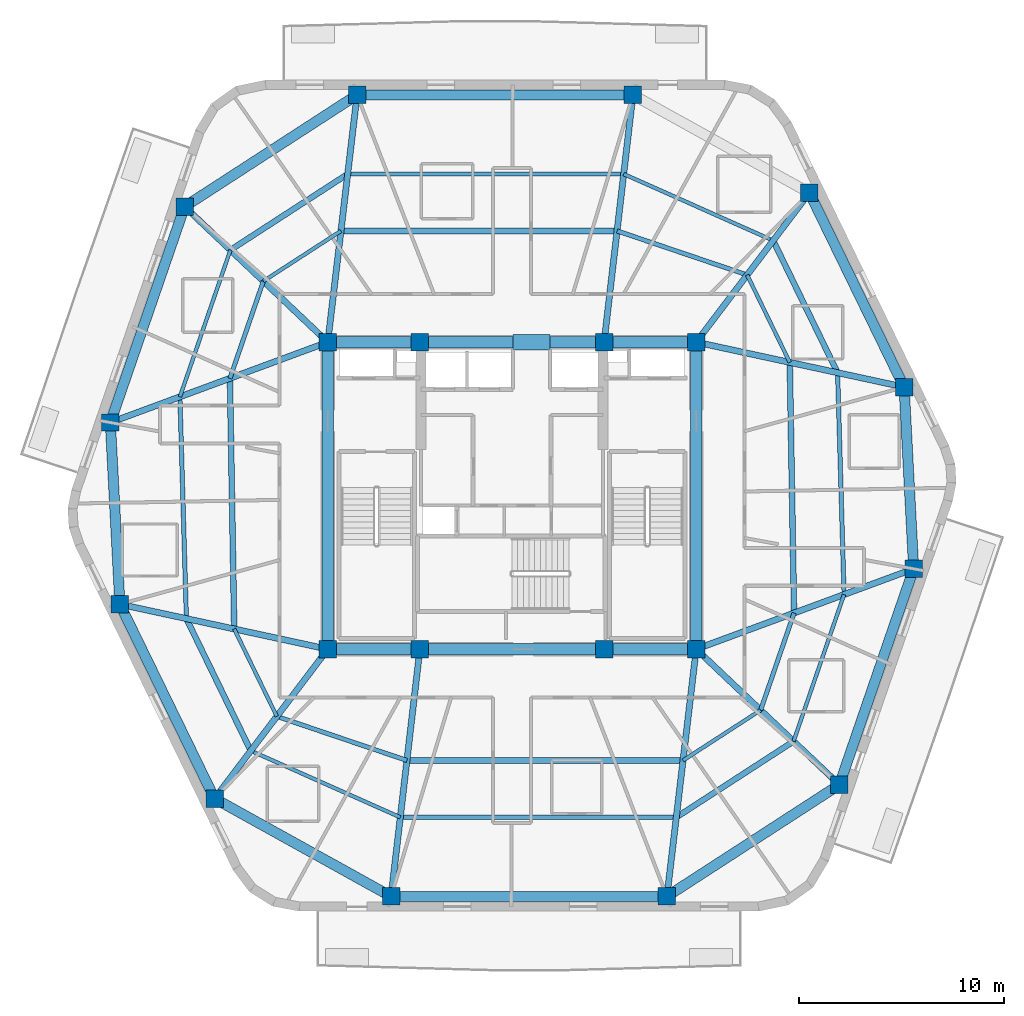
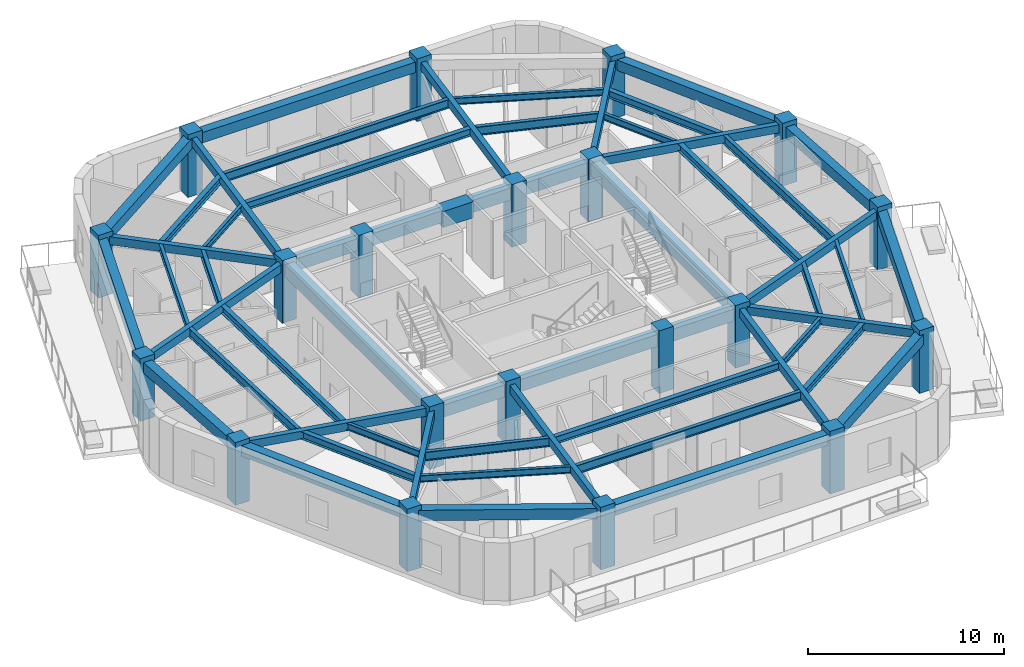
# One storey, part 1 of 9: 56 beams, 20 columns.
"""IFC4 building model written with IfcOpenShell, lengths in metres."""

from ifc_helpers import new_model, si_unit, direction, frame, origin, origin_2d, place, context, subcontext, project, spatial, rectangle, i_section, extrude, material, material_profile, profile_set, type_object, element, save


model = new_model("IFC4")

# Units and contexts
model_context = context("Model", 3, precision=1e-05, world=origin(), true_north=direction((0.0, 1.0)))
body_context = subcontext(model_context, "Body", "Model", "MODEL_VIEW")
ifc_project = project(units=[si_unit("LENGTHUNIT", "METRE"), si_unit("AREAUNIT", "SQUARE_METRE"), si_unit("VOLUMEUNIT", "CUBIC_METRE"), si_unit("PLANEANGLEUNIT", "RADIAN"), si_unit("MASSUNIT", "GRAM", prefix="KILO")], contexts=[model_context])

# Site, building, storey
site_placement = place(None, origin())
site = spatial("IfcSite", under=ifc_project, at=site_placement, CompositionType="ELEMENT")
building_placement = place(site_placement, origin())
building = spatial("IfcBuilding", under=site, at=building_placement, Name="Kilnhurst Terrace Hotel", CompositionType="ELEMENT")
storey_placement = place(building_placement, frame((0.0, 0.0, 265.199951171875)))
storey = spatial("IfcBuildingStorey", under=building, at=storey_placement, Name="L66", CompositionType="ELEMENT", Elevation=265.199951171875)

# Columns
ifc_material_1 = material(Name="Concrete C60/75", Category="concrete")
ifc_material_profile_1 = material_profile(ifc_material_1, rectangle(XDim=0.85009765625, YDim=0.85009765625, at=origin_2d()), Name="RC850X850")
ifc_profile_set_1 = profile_set([ifc_material_profile_1], Name="Concrete C60/75")
column_type = type_object("IfcColumnType", Name="COL-RC-850", PredefinedType="COLUMN", material=ifc_profile_set_1)
for number, where, z_axis, x_axis, name in (
    (1, (-9.0, -7.5, 0.0), (0.0, 0.0, 1.0), (1.0, 0.0, 0.0), "L66 Structural Column CC-SW"),
    (2, (-4.5, -7.5, 0.0), (0.0, 0.0, 1.0), (1.0, 0.0, 0.0), "L66 Structural Column CC-SC1"),
    (3, (4.5, -7.5, 0.0), (0.0, 0.0, 1.0), (1.0, 0.0, 0.0), "L66 Structural Column CC-SC2"),
    (4, (9.0, -7.5, 0.0), (0.0, 0.0, 1.0), (1.0, 0.0, 0.0), "L66 Structural Column CC-SE"),
    (5, (9.0, 7.5, 0.0), (0.0, 0.0, 1.0), (1.0, 0.0, 0.0), "L66 Structural Column CC-NE"),
    (6, (4.5, 7.5, 0.0), (0.0, 0.0, 1.0), (1.0, 0.0, 0.0), "L66 Structural Column CC-NC2"),
    (7, (-4.5, 7.5, 0.0), (0.0, 0.0, 1.0), (1.0, 0.0, 0.0), "L66 Structural Column CC-NC1"),
    (8, (-9.0, 7.5, 0.0), (0.0, 0.0, 1.0), (1.0, 0.0, 0.0), "L66 Structural Column CC-NW"),
    (9, (-5.907958984375, -19.580078125, 0.0), (0.0, 0.0, 1.0), (1.0, 0.0, 0.0), "L66 Structural Column PC-F11"),
    (10, (7.569091796875, -19.580078125, 0.0), (0.0, 0.0, 1.0), (1.0, 0.0, 0.0), "L66 Structural Column PC-F12"),
    (11, (15.9951171875, -14.12109375, 0.0), (0.0, 0.0, 1.0), (1.0, 0.0, 0.0), "L66 Structural Column PC-F21"),
    (12, (19.6240234375, -3.573974609375, 0.0), (0.0, 0.0, 1.0), (1.0, 0.0, 0.0), "L66 Structural Column PC-F22"),
    (13, (19.157958984375, 5.304931640625, 0.0), (0.0, 0.0, 1.0), (1.0, 0.0, 0.0), "L66 Structural Column PC-F31"),
    (14, (14.531005859375, 14.798095703125, 0.0), (0.0, 0.0, 1.0), (1.0, 0.0, 0.0), "L66 Structural Column PC-F32"),
    (15, (5.907958984375, 19.580078125, 0.0), (0.0, 0.0, 1.0), (1.0, 0.0, 0.0), "L66 Structural Column PC-F41"),
    (16, (-7.569091796875, 19.580078125, 0.0), (0.0, 0.0, 1.0), (1.0, 0.0, 0.0), "L66 Structural Column PC-F42"),
    (17, (-15.9951171875, 14.12109375, 0.0), (0.0, 0.0, 1.0), (1.0, 0.0, 0.0), "L66 Structural Column PC-F51"),
    (18, (-19.6240234375, 3.573974609375, 0.0), (0.0, 0.0, 1.0), (1.0, 0.0, 0.0), "L66 Structural Column PC-F52"),
    (19, (-19.157958984375, -5.304931640625, 0.0), (0.0, 0.0, 1.0), (1.0, 0.0, 0.0), "L66 Structural Column PC-F61"),
    (20, (-14.531005859375, -14.798095703125, 0.0), (0.0, 0.0, 1.0), (1.0, 0.0, 0.0), "L66 Structural Column PC-F62"),
):
    element("IfcColumn", number, at=place(storey_placement, frame(where, z_axis=z_axis, x_axis=x_axis)), inside=storey, type_object=column_type, Name=name, PredefinedType="COLUMN", context=body_context, shape_type="SweptSolid", body=[
        extrude(rectangle(XDim=0.85009765625, YDim=0.85009765625, at=origin_2d()), origin(), (0.0, 0.0, 1.0), 3.900146484375),
    ])

# Beams
ifc_material_2 = material(Name="Concrete C50/60", Category="concrete")
ifc_material_profile_2 = material_profile(ifc_material_2, rectangle(XDim=0.300048828125, YDim=0.5, at=origin_2d()), Name="RC300X500")
ifc_profile_set_2 = profile_set([ifc_material_profile_2], Name="Concrete C50/60")
beam_type_1 = type_object("IfcBeamType", Name="BM-RAD-300X500", PredefinedType="BEAM", material=ifc_profile_set_2)
beam_1_placement = place(storey_placement, frame((-4.5, -7.5, 3.35009765625), z_axis=(-0.115768472001, -0.993276225876, 0.0), x_axis=(0.993276225876, -0.115768472001, 0.0)))
element("IfcBeam", 21, at=beam_1_placement, inside=storey, type_object=beam_type_1, Name="L66 Radial Floor Beam 1", PredefinedType="BEAM", context=body_context, shape_type="SweptSolid", body=[
    extrude(rectangle(XDim=0.300048828125, YDim=0.5, at=origin_2d()), origin(), (0.0, 0.0, 1.0), 12.161865234375),
])
beam_2_placement = place(storey_placement, frame((9.0, -7.5, 3.35009765625), z_axis=(-0.117629552811, -0.993057545314, 0.0), x_axis=(0.993057545314, -0.117629552811, 0.0)))
element("IfcBeam", 22, at=beam_2_placement, inside=storey, type_object=beam_type_1, Name="L66 Radial Floor Beam 2", PredefinedType="BEAM", context=body_context, shape_type="SweptSolid", body=[
    extrude(rectangle(XDim=0.300048828125, YDim=0.5, at=origin_2d()), origin(), (0.0, 0.0, 1.0), 12.16455078125),
])
beam_3_placement = place(storey_placement, frame((9.0, -7.5, 3.35009765625), z_axis=(0.726256338973, -0.687423981326, 0.0), x_axis=(0.687423981326, 0.726256338973, 0.0)))
element("IfcBeam", 23, at=beam_3_placement, inside=storey, type_object=beam_type_1, Name="L66 Radial Floor Beam 3", PredefinedType="BEAM", context=body_context, shape_type="SweptSolid", body=[
    extrude(rectangle(XDim=0.300048828125, YDim=0.5, at=origin_2d()), origin(), (0.0, 0.0, 1.0), 9.6318359375),
])
beam_4_placement = place(storey_placement, frame((9.0, -7.5, 3.35009765625), z_axis=(0.938001507479, 0.3466311757, 0.0), x_axis=(-0.3466311757, 0.938001507479, 0.0)))
element("IfcBeam", 24, at=beam_4_placement, inside=storey, type_object=beam_type_1, Name="L66 Radial Floor Beam 4", PredefinedType="BEAM", context=body_context, shape_type="SweptSolid", body=[
    extrude(rectangle(XDim=0.300048828125, YDim=0.5, at=origin_2d()), origin(), (0.0, 0.0, 1.0), 11.326171875),
])
beam_5_placement = place(storey_placement, frame((9.0, 7.5, 3.35009765625), z_axis=(0.977438945995, -0.211218149913, 0.0), x_axis=(0.211218149913, 0.977438945995, 0.0)))
element("IfcBeam", 25, at=beam_5_placement, inside=storey, type_object=beam_type_1, Name="L66 Radial Floor Beam 5", PredefinedType="BEAM", context=body_context, shape_type="SweptSolid", body=[
    extrude(rectangle(XDim=0.300048828125, YDim=0.5, at=origin_2d()), origin(), (0.0, 0.0, 1.0), 10.392333984375),
])
beam_6_placement = place(storey_placement, frame((9.0, 7.5, 3.35009765625), z_axis=(0.604006537698, 0.79697936135, 0.0), x_axis=(-0.79697936135, 0.604006537698, 0.0)))
element("IfcBeam", 26, at=beam_6_placement, inside=storey, type_object=beam_type_1, Name="L66 Radial Floor Beam 6", PredefinedType="BEAM", context=body_context, shape_type="SweptSolid", body=[
    extrude(rectangle(XDim=0.300048828125, YDim=0.5, at=origin_2d()), origin(), (0.0, 0.0, 1.0), 9.1572265625),
])
beam_7_placement = place(storey_placement, frame((4.5, 7.5, 3.35009765625), z_axis=(0.115768472001, 0.993276225876, 0.0), x_axis=(-0.993276225876, 0.115768472001, 0.0)))
element("IfcBeam", 27, at=beam_7_placement, inside=storey, type_object=beam_type_1, Name="L66 Radial Floor Beam 7", PredefinedType="BEAM", context=body_context, shape_type="SweptSolid", body=[
    extrude(rectangle(XDim=0.300048828125, YDim=0.5, at=origin_2d()), origin(), (0.0, 0.0, 1.0), 12.161865234375),
])
beam_8_placement = place(storey_placement, frame((-9.0, 7.5, 3.35009765625), z_axis=(0.117629552811, 0.993057545314, 0.0), x_axis=(-0.993057545314, 0.117629552811, 0.0)))
element("IfcBeam", 28, at=beam_8_placement, inside=storey, type_object=beam_type_1, Name="L66 Radial Floor Beam 8", PredefinedType="BEAM", context=body_context, shape_type="SweptSolid", body=[
    extrude(rectangle(XDim=0.300048828125, YDim=0.5, at=origin_2d()), origin(), (0.0, 0.0, 1.0), 12.16455078125),
])
beam_9_placement = place(storey_placement, frame((-9.0, 7.5, 3.35009765625), z_axis=(-0.726256338973, 0.687423981326, 0.0), x_axis=(-0.687423981326, -0.726256338973, 0.0)))
element("IfcBeam", 29, at=beam_9_placement, inside=storey, type_object=beam_type_1, Name="L66 Radial Floor Beam 9", PredefinedType="BEAM", context=body_context, shape_type="SweptSolid", body=[
    extrude(rectangle(XDim=0.300048828125, YDim=0.5, at=origin_2d()), origin(), (0.0, 0.0, 1.0), 9.6318359375),
])
beam_10_placement = place(storey_placement, frame((-9.0, 7.5, 3.35009765625), z_axis=(-0.938001507479, -0.3466311757, 0.0), x_axis=(0.3466311757, -0.938001507479, 0.0)))
element("IfcBeam", 30, at=beam_10_placement, inside=storey, type_object=beam_type_1, Name="L66 Radial Floor Beam 10", PredefinedType="BEAM", context=body_context, shape_type="SweptSolid", body=[
    extrude(rectangle(XDim=0.300048828125, YDim=0.5, at=origin_2d()), origin(), (0.0, 0.0, 1.0), 11.326171875),
])
beam_11_placement = place(storey_placement, frame((-9.0, -7.5, 3.35009765625), z_axis=(-0.977438945995, 0.211218149913, 0.0), x_axis=(-0.211218149913, -0.977438945995, 0.0)))
element("IfcBeam", 31, at=beam_11_placement, inside=storey, type_object=beam_type_1, Name="L66 Radial Floor Beam 11", PredefinedType="BEAM", context=body_context, shape_type="SweptSolid", body=[
    extrude(rectangle(XDim=0.300048828125, YDim=0.5, at=origin_2d()), origin(), (0.0, 0.0, 1.0), 10.392333984375),
])
beam_12_placement = place(storey_placement, frame((-9.0, -7.5, 3.35009765625), z_axis=(-0.604006537698, -0.79697936135, 0.0), x_axis=(0.79697936135, -0.604006537698, 0.0)))
element("IfcBeam", 32, at=beam_12_placement, inside=storey, type_object=beam_type_1, Name="L66 Radial Floor Beam 12", PredefinedType="BEAM", context=body_context, shape_type="SweptSolid", body=[
    extrude(rectangle(XDim=0.300048828125, YDim=0.5, at=origin_2d()), origin(), (0.0, 0.0, 1.0), 9.1572265625),
])
ifc_material_profile_3 = material_profile(ifc_material_2, rectangle(XDim=0.5, YDim=0.64990234375, at=origin_2d()), Name="RC500X650")
ifc_profile_set_3 = profile_set([ifc_material_profile_3], Name="Concrete C50/60")
beam_type_2 = type_object("IfcBeamType", Name="BM-SPN-500X650", PredefinedType="SPANDREL", material=ifc_profile_set_3)
beam_13_placement = place(storey_placement, frame((-5.907958984375, -19.580078125, 3.275146484375), z_axis=(1.0, 0.0, 0.0), x_axis=(0.0, 1.0, 0.0)))
element("IfcBeam", 33, at=beam_13_placement, inside=storey, type_object=beam_type_2, Name="L66 Perimeter Spandrel Beam 1", PredefinedType="SPANDREL", context=body_context, shape_type="SweptSolid", body=[
    extrude(rectangle(XDim=0.5, YDim=0.64990234375, at=origin_2d()), origin(), (0.0, 0.0, 1.0), 13.47705078125),
])
beam_14_placement = place(storey_placement, frame((7.569091796875, -19.580078125, 3.275146484375), z_axis=(0.839258818809, 0.543732135386, 0.0), x_axis=(-0.543732135386, 0.839258818809, 0.0)))
element("IfcBeam", 34, at=beam_14_placement, inside=storey, type_object=beam_type_2, Name="L66 Perimeter Spandrel Beam 2", PredefinedType="SPANDREL", context=body_context, shape_type="SweptSolid", body=[
    extrude(rectangle(XDim=0.5, YDim=0.64990234375, at=origin_2d()), origin(), (0.0, 0.0, 1.0), 10.039794921875),
])
beam_15_placement = place(storey_placement, frame((15.9951171875, -14.12109375, 3.275146484375), z_axis=(0.325347079026, 0.945594669068, 0.0), x_axis=(-0.945594669068, 0.325347079026, 0.0)))
element("IfcBeam", 35, at=beam_15_placement, inside=storey, type_object=beam_type_2, Name="L66 Perimeter Spandrel Beam 3", PredefinedType="SPANDREL", context=body_context, shape_type="SweptSolid", body=[
    extrude(rectangle(XDim=0.5, YDim=0.64990234375, at=origin_2d()), origin(), (0.0, 0.0, 1.0), 11.154052734375),
])
beam_16_placement = place(storey_placement, frame((19.6240234375, -3.573974609375, 3.275146484375), z_axis=(-0.052419034962, 0.998625177318, 0.0), x_axis=(-0.998625177318, -0.052419034962, 0.0)))
element("IfcBeam", 36, at=beam_16_placement, inside=storey, type_object=beam_type_2, Name="L66 Perimeter Spandrel Beam 4", PredefinedType="SPANDREL", context=body_context, shape_type="SweptSolid", body=[
    extrude(rectangle(XDim=0.5, YDim=0.64990234375, at=origin_2d()), origin(), (0.0, 0.0, 1.0), 8.89111328125),
])
beam_17_placement = place(storey_placement, frame((19.157958984375, 5.304931640625, 3.275146484375), z_axis=(-0.438128464895, 0.898912369616, 0.0), x_axis=(-0.898912369616, -0.438128464895, 0.0)))
element("IfcBeam", 37, at=beam_17_placement, inside=storey, type_object=beam_type_2, Name="L66 Perimeter Spandrel Beam 5", PredefinedType="SPANDREL", context=body_context, shape_type="SweptSolid", body=[
    extrude(rectangle(XDim=0.5, YDim=0.64990234375, at=origin_2d()), origin(), (0.0, 0.0, 1.0), 10.560791015625),
])
beam_18_placement = place(storey_placement, frame((5.907958984375, 19.580078125, 3.275146484375), z_axis=(-1.0, 0.0, 0.0), x_axis=(0.0, -1.0, 0.0)))
element("IfcBeam", 38, at=beam_18_placement, inside=storey, type_object=beam_type_2, Name="L66 Perimeter Spandrel Beam 7", PredefinedType="SPANDREL", context=body_context, shape_type="SweptSolid", body=[
    extrude(rectangle(XDim=0.5, YDim=0.64990234375, at=origin_2d()), origin(), (0.0, 0.0, 1.0), 13.47705078125),
])
beam_19_placement = place(storey_placement, frame((-7.569091796875, 19.580078125, 3.275146484375), z_axis=(-0.839258818809, -0.543732135386, 0.0), x_axis=(0.543732135386, -0.839258818809, 0.0)))
element("IfcBeam", 39, at=beam_19_placement, inside=storey, type_object=beam_type_2, Name="L66 Perimeter Spandrel Beam 8", PredefinedType="SPANDREL", context=body_context, shape_type="SweptSolid", body=[
    extrude(rectangle(XDim=0.5, YDim=0.64990234375, at=origin_2d()), origin(), (0.0, 0.0, 1.0), 10.039794921875),
])
beam_20_placement = place(storey_placement, frame((-15.9951171875, 14.12109375, 3.275146484375), z_axis=(-0.325347079026, -0.945594669068, 0.0), x_axis=(0.945594669068, -0.325347079026, 0.0)))
element("IfcBeam", 40, at=beam_20_placement, inside=storey, type_object=beam_type_2, Name="L66 Perimeter Spandrel Beam 9", PredefinedType="SPANDREL", context=body_context, shape_type="SweptSolid", body=[
    extrude(rectangle(XDim=0.5, YDim=0.64990234375, at=origin_2d()), origin(), (0.0, 0.0, 1.0), 11.154052734375),
])
beam_21_placement = place(storey_placement, frame((-19.6240234375, 3.573974609375, 3.275146484375), z_axis=(0.052419034962, -0.998625177318, 0.0), x_axis=(0.998625177318, 0.052419034962, 0.0)))
element("IfcBeam", 41, at=beam_21_placement, inside=storey, type_object=beam_type_2, Name="L66 Perimeter Spandrel Beam 10", PredefinedType="SPANDREL", context=body_context, shape_type="SweptSolid", body=[
    extrude(rectangle(XDim=0.5, YDim=0.64990234375, at=origin_2d()), origin(), (0.0, 0.0, 1.0), 8.89111328125),
])
beam_22_placement = place(storey_placement, frame((-19.157958984375, -5.304931640625, 3.275146484375), z_axis=(0.438128464895, -0.898912369616, 0.0), x_axis=(0.898912369616, 0.438128464895, 0.0)))
element("IfcBeam", 42, at=beam_22_placement, inside=storey, type_object=beam_type_2, Name="L66 Perimeter Spandrel Beam 11", PredefinedType="SPANDREL", context=body_context, shape_type="SweptSolid", body=[
    extrude(rectangle(XDim=0.5, YDim=0.64990234375, at=origin_2d()), origin(), (0.0, 0.0, 1.0), 10.560791015625),
])
beam_23_placement = place(storey_placement, frame((-14.531005859375, -14.798095703125, 3.275146484375), z_axis=(0.874527255888, -0.484976369227, 0.0), x_axis=(0.484976369227, 0.874527255888, 0.0)))
element("IfcBeam", 43, at=beam_23_placement, inside=storey, type_object=beam_type_2, Name="L66 Perimeter Spandrel Beam 12", PredefinedType="SPANDREL", context=body_context, shape_type="SweptSolid", body=[
    extrude(rectangle(XDim=0.5, YDim=0.64990234375, at=origin_2d()), origin(), (0.0, 0.0, 1.0), 9.8603515625),
])
ifc_material_profile_4 = material_profile(ifc_material_2, rectangle(XDim=0.550048828125, YDim=0.75, at=origin_2d()), Name="RC550X750")
ifc_profile_set_4 = profile_set([ifc_material_profile_4], Name="Concrete C50/60")
beam_type_3 = type_object("IfcBeamType", Name="BM-SPN-550X750", PredefinedType="SPANDREL", material=ifc_profile_set_4)
beam_24_placement = place(storey_placement, frame((-9.0, 7.5, 3.22509765625), z_axis=(1.0, 0.0, 0.0), x_axis=(0.0, 1.0, 0.0)))
element("IfcBeam", 44, at=beam_24_placement, inside=storey, type_object=beam_type_3, Name="L66 Core Tie Beam CC-NW to CC-NC1", PredefinedType="SPANDREL", context=body_context, shape_type="SweptSolid", body=[
    extrude(rectangle(XDim=0.550048828125, YDim=0.75, at=origin_2d()), origin(), (0.0, 0.0, 1.0), 4.5),
])
beam_25_placement = place(storey_placement, frame((-4.5, 7.5, 3.22509765625), z_axis=(1.0, 0.0, 0.0), x_axis=(0.0, 1.0, 0.0)))
element("IfcBeam", 45, at=beam_25_placement, inside=storey, type_object=beam_type_3, Name="L66 Core Tie Beam CC-NC1 to CC-NC2", PredefinedType="SPANDREL", context=body_context, shape_type="SweptSolid", body=[
    extrude(rectangle(XDim=0.550048828125, YDim=0.75, at=origin_2d()), origin(), (0.0, 0.0, 1.0), 9.0),
])
for number, where, z_axis, x_axis, name in (
    (46, (4.5, 7.5, 3.22509765625), (1.0, 0.0, 0.0), (0.0, 1.0, 0.0), "L66 Core Tie Beam CC-NC2 to CC-NE"),
    (47, (-9.0, -7.5, 3.22509765625), (1.0, 0.0, 0.0), (0.0, 1.0, 0.0), "L66 Core Tie Beam CC-SW to CC-SC1"),
):
    element("IfcBeam", number, at=place(storey_placement, frame(where, z_axis=z_axis, x_axis=x_axis)), inside=storey, type_object=beam_type_3, Name=name, PredefinedType="SPANDREL", context=body_context, shape_type="SweptSolid", body=[
        extrude(rectangle(XDim=0.550048828125, YDim=0.75, at=origin_2d()), origin(), (0.0, 0.0, 1.0), 4.5),
    ])
beam_26_placement = place(storey_placement, frame((-4.5, -7.5, 3.22509765625), z_axis=(1.0, 0.0, 0.0), x_axis=(0.0, 1.0, 0.0)))
element("IfcBeam", 48, at=beam_26_placement, inside=storey, type_object=beam_type_3, Name="L66 Core Tie Beam CC-SC1 to CC-SC2", PredefinedType="SPANDREL", context=body_context, shape_type="SweptSolid", body=[
    extrude(rectangle(XDim=0.550048828125, YDim=0.75, at=origin_2d()), origin(), (0.0, 0.0, 1.0), 9.0),
])
beam_27_placement = place(storey_placement, frame((4.5, -7.5, 3.22509765625), z_axis=(1.0, 0.0, 0.0), x_axis=(0.0, 1.0, 0.0)))
element("IfcBeam", 49, at=beam_27_placement, inside=storey, type_object=beam_type_3, Name="L66 Core Tie Beam CC-SC2 to CC-SE", PredefinedType="SPANDREL", context=body_context, shape_type="SweptSolid", body=[
    extrude(rectangle(XDim=0.550048828125, YDim=0.75, at=origin_2d()), origin(), (0.0, 0.0, 1.0), 4.5),
])
for number, where, z_axis, x_axis, name in (
    (50, (-9.0, -7.5, 3.22509765625), (0.0, 1.0, 0.0), (-1.0, 0.0, 0.0), "L66 Core Tie Beam CC-SW to CC-NW"),
    (51, (9.0, -7.5, 3.22509765625), (0.0, 1.0, 0.0), (-1.0, 0.0, 0.0), "L66 Core Tie Beam CC-SE to CC-NE"),
):
    element("IfcBeam", number, at=place(storey_placement, frame(where, z_axis=z_axis, x_axis=x_axis)), inside=storey, type_object=beam_type_3, Name=name, PredefinedType="SPANDREL", context=body_context, shape_type="SweptSolid", body=[
        extrude(rectangle(XDim=0.550048828125, YDim=0.75, at=origin_2d()), origin(), (0.0, 0.0, 1.0), 15.0),
    ])
ifc_material_3 = material(Name="Steel ASTM A992 Grade 50", Category="steel")
ifc_material_profile_5 = material_profile(ifc_material_3, i_section(OverallWidth=0.180908203125, OverallDepth=0.417236328125, WebThickness=0.010986328125, FlangeThickness=0.018310546875, at=origin_2d()), Name="W16X57")
ifc_profile_set_5 = profile_set([ifc_material_profile_5], Name="Steel ASTM A992 Grade 50")
beam_type_4 = type_object("IfcBeamType", Name="JST-STL-W16X57", PredefinedType="JOIST", material=ifc_profile_set_5)
beam_28_placement = place(storey_placement, frame((13.756591796875, -12.002197265625, 3.39111328125), z_axis=(0.325367628202, 0.945587598543, 0.0), x_axis=(-0.945587598543, 0.325367628202, 0.0)))
element("IfcBeam", 52, at=beam_28_placement, inside=storey, type_object=beam_type_4, Name="L66 Secondary Floor Steel Joist OUT.3", PredefinedType="JOIST", context=body_context, shape_type="SweptSolid", body=[
    extrude(i_section(OverallWidth=0.180908203125, OverallDepth=0.417236328125, WebThickness=0.010986328125, FlangeThickness=0.018310546875, at=origin_2d()), origin(), (0.0, 0.0, 1.0), 7.58447265625),
])
beam_29_placement = place(storey_placement, frame((12.760986328125, 12.462646484375, 3.39111328125), z_axis=(-0.913545640569, 0.406736232216, 0.0), x_axis=(-0.406736232216, -0.913545640569, 0.0)))
element("IfcBeam", 53, at=beam_29_placement, inside=storey, type_object=beam_type_4, Name="L66 Secondary Floor Steel Joist OUT.6", PredefinedType="JOIST", context=body_context, shape_type="SweptSolid", body=[
    extrude(i_section(OverallWidth=0.180908203125, OverallDepth=0.417236328125, WebThickness=0.010986328125, FlangeThickness=0.018310546875, at=origin_2d()), origin(), (0.0, 0.0, 1.0), 7.99462890625),
])
beam_30_placement = place(storey_placement, frame((-13.756591796875, 12.002197265625, 3.39111328125), z_axis=(-0.325367628202, -0.945587598543, 0.0), x_axis=(0.945587598543, -0.325367628202, 0.0)))
element("IfcBeam", 54, at=beam_30_placement, inside=storey, type_object=beam_type_4, Name="L66 Secondary Floor Steel Joist OUT.9", PredefinedType="JOIST", context=body_context, shape_type="SweptSolid", body=[
    extrude(i_section(OverallWidth=0.180908203125, OverallDepth=0.417236328125, WebThickness=0.010986328125, FlangeThickness=0.018310546875, at=origin_2d()), origin(), (0.0, 0.0, 1.0), 7.58447265625),
])
beam_31_placement = place(storey_placement, frame((-12.760986328125, -12.462646484375, 3.39111328125), z_axis=(0.913545640569, -0.406736232216, 0.0), x_axis=(0.406736232216, 0.913545640569, 0.0)))
element("IfcBeam", 55, at=beam_31_placement, inside=storey, type_object=beam_type_4, Name="L66 Secondary Floor Steel Joist OUT.12", PredefinedType="JOIST", context=body_context, shape_type="SweptSolid", body=[
    extrude(i_section(OverallWidth=0.180908203125, OverallDepth=0.417236328125, WebThickness=0.010986328125, FlangeThickness=0.018310546875, at=origin_2d()), origin(), (0.0, 0.0, 1.0), 7.99462890625),
])
beam_32_placement = place(storey_placement, frame((8.35595703125, -12.93603515625, 3.39111328125), z_axis=(0.839261215199, 0.543728436503, 0.0), x_axis=(-0.543728436503, 0.839261215199, 0.0)))
element("IfcBeam", 56, at=beam_32_placement, inside=storey, type_object=beam_type_4, Name="L66 Secondary Floor Steel Joist IN.2", PredefinedType="JOIST", context=body_context, shape_type="SweptSolid", body=[
    extrude(i_section(OverallWidth=0.180908203125, OverallDepth=0.417236328125, WebThickness=0.010986328125, FlangeThickness=0.018310546875, at=origin_2d()), origin(), (0.0, 0.0, 1.0), 4.51806640625),
])
beam_33_placement = place(storey_placement, frame((13.571044921875, 6.51220703125, 3.39111328125), z_axis=(-0.438107813647, 0.898922434708, 0.0), x_axis=(-0.898922434708, -0.438107813647, 0.0)))
element("IfcBeam", 57, at=beam_33_placement, inside=storey, type_object=beam_type_4, Name="L66 Secondary Floor Steel Joist IN.5", PredefinedType="JOIST", context=body_context, shape_type="SweptSolid", body=[
    extrude(i_section(OverallWidth=0.180908203125, OverallDepth=0.417236328125, WebThickness=0.010986328125, FlangeThickness=0.018310546875, at=origin_2d()), origin(), (0.0, 0.0, 1.0), 4.75244140625),
])
beam_34_placement = place(storey_placement, frame((-8.35595703125, 12.93603515625, 3.39111328125), z_axis=(-0.839261215199, -0.543728436503, 0.0), x_axis=(0.543728436503, -0.839261215199, 0.0)))
element("IfcBeam", 58, at=beam_34_placement, inside=storey, type_object=beam_type_4, Name="L66 Secondary Floor Steel Joist IN.8", PredefinedType="JOIST", context=body_context, shape_type="SweptSolid", body=[
    extrude(i_section(OverallWidth=0.180908203125, OverallDepth=0.417236328125, WebThickness=0.010986328125, FlangeThickness=0.018310546875, at=origin_2d()), origin(), (0.0, 0.0, 1.0), 4.51806640625),
])
beam_35_placement = place(storey_placement, frame((-13.571044921875, -6.51220703125, 3.39111328125), z_axis=(0.438107813647, -0.898922434708, 0.0), x_axis=(0.898922434708, 0.438107813647, 0.0)))
element("IfcBeam", 59, at=beam_35_placement, inside=storey, type_object=beam_type_4, Name="L66 Secondary Floor Steel Joist IN.11", PredefinedType="JOIST", context=body_context, shape_type="SweptSolid", body=[
    extrude(i_section(OverallWidth=0.180908203125, OverallDepth=0.417236328125, WebThickness=0.010986328125, FlangeThickness=0.018310546875, at=origin_2d()), origin(), (0.0, 0.0, 1.0), 4.75244140625),
])
ifc_material_profile_6 = material_profile(ifc_material_3, i_section(OverallWidth=0.279296875, OverallDepth=0.462890625, WebThickness=0.0107421875, FlangeThickness=0.017333984375, at=origin_2d()), Name="W18X76")
ifc_profile_set_6 = profile_set([ifc_material_profile_6], Name="Steel ASTM A992 Grade 50")
beam_type_5 = type_object("IfcBeamType", Name="JST-STL-W18X76", PredefinedType="JOIST", material=ifc_profile_set_6)
beam_36_placement = place(storey_placement, frame((8.02685546875, -15.71435546875, 3.3681640625), z_axis=(0.839257246669, 0.543734562001, 0.0), x_axis=(-0.543734562001, 0.839257246669, 0.0)))
element("IfcBeam", 60, at=beam_36_placement, inside=storey, type_object=beam_type_5, Name="L66 Secondary Floor Steel Joist OUT.2", PredefinedType="JOIST", context=body_context, shape_type="SweptSolid", body=[
    extrude(i_section(OverallWidth=0.279296875, OverallDepth=0.462890625, WebThickness=0.0107421875, FlangeThickness=0.017333984375, at=origin_2d()), origin(), (0.0, 0.0, 1.0), 6.8271484375),
])
beam_37_placement = place(storey_placement, frame((15.907470703125, 6.00732421875, 3.3681640625), z_axis=(-0.438147652742, 0.898903017237, 0.0), x_axis=(-0.898903017237, -0.438147652742, 0.0)))
element("IfcBeam", 61, at=beam_37_placement, inside=storey, type_object=beam_type_5, Name="L66 Secondary Floor Steel Joist OUT.5", PredefinedType="JOIST", context=body_context, shape_type="SweptSolid", body=[
    extrude(i_section(OverallWidth=0.279296875, OverallDepth=0.462890625, WebThickness=0.0107421875, FlangeThickness=0.017333984375, at=origin_2d()), origin(), (0.0, 0.0, 1.0), 7.181396484375),
])
beam_38_placement = place(storey_placement, frame((-8.02685546875, 15.71435546875, 3.3681640625), z_axis=(-0.839257246669, -0.543734562001, 0.0), x_axis=(0.543734562001, -0.839257246669, 0.0)))
element("IfcBeam", 62, at=beam_38_placement, inside=storey, type_object=beam_type_5, Name="L66 Secondary Floor Steel Joist OUT.8", PredefinedType="JOIST", context=body_context, shape_type="SweptSolid", body=[
    extrude(i_section(OverallWidth=0.279296875, OverallDepth=0.462890625, WebThickness=0.0107421875, FlangeThickness=0.017333984375, at=origin_2d()), origin(), (0.0, 0.0, 1.0), 6.8271484375),
])
beam_39_placement = place(storey_placement, frame((-15.907470703125, -6.00732421875, 3.3681640625), z_axis=(0.438147652742, -0.898903017237, 0.0), x_axis=(0.898903017237, 0.438147652742, 0.0)))
element("IfcBeam", 63, at=beam_39_placement, inside=storey, type_object=beam_type_5, Name="L66 Secondary Floor Steel Joist OUT.11", PredefinedType="JOIST", context=body_context, shape_type="SweptSolid", body=[
    extrude(i_section(OverallWidth=0.279296875, OverallDepth=0.462890625, WebThickness=0.0107421875, FlangeThickness=0.017333984375, at=origin_2d()), origin(), (0.0, 0.0, 1.0), 7.181396484375),
])
beam_40_placement = place(storey_placement, frame((-5.133544921875, -12.93603515625, 3.3681640625), z_axis=(1.0, 0.0, 0.0), x_axis=(0.0, 1.0, 0.0)))
element("IfcBeam", 64, at=beam_40_placement, inside=storey, type_object=beam_type_5, Name="L66 Secondary Floor Steel Joist IN.1", PredefinedType="JOIST", context=body_context, shape_type="SweptSolid", body=[
    extrude(i_section(OverallWidth=0.279296875, OverallDepth=0.462890625, WebThickness=0.0107421875, FlangeThickness=0.017333984375, at=origin_2d()), origin(), (0.0, 0.0, 1.0), 13.489501953125),
])
beam_41_placement = place(storey_placement, frame((13.78076171875, -5.7333984375, 3.3681640625), z_axis=(-0.01712337129, 0.99985338433, 0.0), x_axis=(-0.99985338433, -0.01712337129, 0.0)))
element("IfcBeam", 65, at=beam_41_placement, inside=storey, type_object=beam_type_5, Name="L66 Secondary Floor Steel Joist IN.4", PredefinedType="JOIST", context=body_context, shape_type="SweptSolid", body=[
    extrude(i_section(OverallWidth=0.279296875, OverallDepth=0.462890625, WebThickness=0.0107421875, FlangeThickness=0.017333984375, at=origin_2d()), origin(), (0.0, 0.0, 1.0), 12.247314453125),
])
beam_42_placement = place(storey_placement, frame((5.133544921875, 12.93603515625, 3.3681640625), z_axis=(-1.0, 0.0, 0.0), x_axis=(0.0, -1.0, 0.0)))
element("IfcBeam", 66, at=beam_42_placement, inside=storey, type_object=beam_type_5, Name="L66 Secondary Floor Steel Joist IN.7", PredefinedType="JOIST", context=body_context, shape_type="SweptSolid", body=[
    extrude(i_section(OverallWidth=0.279296875, OverallDepth=0.462890625, WebThickness=0.0107421875, FlangeThickness=0.017333984375, at=origin_2d()), origin(), (0.0, 0.0, 1.0), 13.489501953125),
])
beam_43_placement = place(storey_placement, frame((-13.78076171875, 5.7333984375, 3.3681640625), z_axis=(0.01712337129, -0.99985338433, 0.0), x_axis=(0.99985338433, 0.01712337129, 0.0)))
element("IfcBeam", 67, at=beam_43_placement, inside=storey, type_object=beam_type_5, Name="L66 Secondary Floor Steel Joist IN.10", PredefinedType="JOIST", context=body_context, shape_type="SweptSolid", body=[
    extrude(i_section(OverallWidth=0.279296875, OverallDepth=0.462890625, WebThickness=0.0107421875, FlangeThickness=0.017333984375, at=origin_2d()), origin(), (0.0, 0.0, 1.0), 12.247314453125),
])
ifc_material_profile_7 = material_profile(ifc_material_3, i_section(OverallWidth=0.2138671875, OverallDepth=0.549072265625, WebThickness=0.0146484375, FlangeThickness=0.023681640625, at=origin_2d()), Name="W21X93")
ifc_profile_set_7 = profile_set([ifc_material_profile_7], Name="Steel ASTM A992 Grade 50")
beam_type_6 = type_object("IfcBeamType", Name="JST-STL-W21X93", PredefinedType="JOIST", material=ifc_profile_set_7)
beam_44_placement = place(storey_placement, frame((-5.45751953125, -15.71435546875, 3.324951171875), z_axis=(1.0, 0.0, 0.0), x_axis=(0.0, 1.0, 0.0)))
element("IfcBeam", 68, at=beam_44_placement, inside=storey, type_object=beam_type_6, Name="L66 Secondary Floor Steel Joist OUT.1", PredefinedType="JOIST", context=body_context, shape_type="SweptSolid", body=[
    extrude(i_section(OverallWidth=0.2138671875, OverallDepth=0.549072265625, WebThickness=0.0146484375, FlangeThickness=0.023681640625, at=origin_2d()), origin(), (0.0, 0.0, 1.0), 13.484375),
])
beam_45_placement = place(storey_placement, frame((16.224365234375, -4.830322265625, 3.324951171875), z_axis=(-0.029227669324, 0.999572780415, 0.0), x_axis=(-0.999572780415, -0.029227669324, 0.0)))
element("IfcBeam", 69, at=beam_45_placement, inside=storey, type_object=beam_type_6, Name="L66 Secondary Floor Steel Joist OUT.4", PredefinedType="JOIST", context=body_context, shape_type="SweptSolid", body=[
    extrude(i_section(OverallWidth=0.2138671875, OverallDepth=0.549072265625, WebThickness=0.0146484375, FlangeThickness=0.023681640625, at=origin_2d()), origin(), (0.0, 0.0, 1.0), 10.84228515625),
])
beam_46_placement = place(storey_placement, frame((5.45751953125, 15.71435546875, 3.324951171875), z_axis=(-1.0, 0.0, 0.0), x_axis=(0.0, -1.0, 0.0)))
element("IfcBeam", 70, at=beam_46_placement, inside=storey, type_object=beam_type_6, Name="L66 Secondary Floor Steel Joist OUT.7", PredefinedType="JOIST", context=body_context, shape_type="SweptSolid", body=[
    extrude(i_section(OverallWidth=0.2138671875, OverallDepth=0.549072265625, WebThickness=0.0146484375, FlangeThickness=0.023681640625, at=origin_2d()), origin(), (0.0, 0.0, 1.0), 13.484375),
])
beam_47_placement = place(storey_placement, frame((-16.224365234375, 4.830322265625, 3.324951171875), z_axis=(0.029227669324, -0.999572780415, 0.0), x_axis=(0.999572780415, 0.029227669324, 0.0)))
element("IfcBeam", 71, at=beam_47_placement, inside=storey, type_object=beam_type_6, Name="L66 Secondary Floor Steel Joist OUT.10", PredefinedType="JOIST", context=body_context, shape_type="SweptSolid", body=[
    extrude(i_section(OverallWidth=0.2138671875, OverallDepth=0.549072265625, WebThickness=0.0146484375, FlangeThickness=0.023681640625, at=origin_2d()), origin(), (0.0, 0.0, 1.0), 10.84228515625),
])
beam_48_placement = place(storey_placement, frame((12.147705078125, -10.4794921875, 3.324951171875), z_axis=(0.325362511486, 0.94558935914, 0.0), x_axis=(-0.94558935914, 0.325362511486, 0.0)))
element("IfcBeam", 72, at=beam_48_placement, inside=storey, type_object=beam_type_6, Name="L66 Secondary Floor Steel Joist IN.3", PredefinedType="JOIST", context=body_context, shape_type="SweptSolid", body=[
    extrude(i_section(OverallWidth=0.2138671875, OverallDepth=0.549072265625, WebThickness=0.0146484375, FlangeThickness=0.023681640625, at=origin_2d()), origin(), (0.0, 0.0, 1.0), 5.019287109375),
])
beam_49_placement = place(storey_placement, frame((11.489013671875, 10.7841796875, 3.324951171875), z_axis=(-0.947180946302, 0.320699633555, 0.0), x_axis=(-0.320699633555, -0.947180946302, 0.0)))
element("IfcBeam", 73, at=beam_49_placement, inside=storey, type_object=beam_type_6, Name="L66 Secondary Floor Steel Joist IN.6", PredefinedType="JOIST", context=body_context, shape_type="SweptSolid", body=[
    extrude(i_section(OverallWidth=0.2138671875, OverallDepth=0.549072265625, WebThickness=0.0146484375, FlangeThickness=0.023681640625, at=origin_2d()), origin(), (0.0, 0.0, 1.0), 6.7099609375),
])
beam_50_placement = place(storey_placement, frame((-12.147705078125, 10.4794921875, 3.324951171875), z_axis=(-0.325362511486, -0.94558935914, 0.0), x_axis=(0.94558935914, -0.325362511486, 0.0)))
element("IfcBeam", 74, at=beam_50_placement, inside=storey, type_object=beam_type_6, Name="L66 Secondary Floor Steel Joist IN.9", PredefinedType="JOIST", context=body_context, shape_type="SweptSolid", body=[
    extrude(i_section(OverallWidth=0.2138671875, OverallDepth=0.549072265625, WebThickness=0.0146484375, FlangeThickness=0.023681640625, at=origin_2d()), origin(), (0.0, 0.0, 1.0), 5.019287109375),
])
beam_51_placement = place(storey_placement, frame((-11.489013671875, -10.7841796875, 3.324951171875), z_axis=(0.947180946302, -0.320699633555, 0.0), x_axis=(0.320699633555, 0.947180946302, 0.0)))
element("IfcBeam", 75, at=beam_51_placement, inside=storey, type_object=beam_type_6, Name="L66 Secondary Floor Steel Joist IN.12", PredefinedType="JOIST", context=body_context, shape_type="SweptSolid", body=[
    extrude(i_section(OverallWidth=0.2138671875, OverallDepth=0.549072265625, WebThickness=0.0146484375, FlangeThickness=0.023681640625, at=origin_2d()), origin(), (0.0, 0.0, 1.0), 6.7099609375),
])
ifc_material_profile_8 = material_profile(ifc_material_1, rectangle(XDim=0.75, YDim=1.0, at=origin_2d()), Name="RC750X1000")
ifc_profile_set_8 = profile_set([ifc_material_profile_8], Name="Concrete C60/75")
beam_type_7 = type_object("IfcBeamType", Name="LNT-CB-750X1000", PredefinedType="LINTEL", material=ifc_profile_set_8)
beam_52_placement = place(storey_placement, frame((0.050048828125, 7.5, 3.10009765625), z_axis=(1.0, 0.0, 0.0), x_axis=(0.0, 1.0, 0.0)))
element("IfcBeam", 76, at=beam_52_placement, inside=storey, type_object=beam_type_7, Name="L66 North Core Coupling Link Beam", PredefinedType="LINTEL", context=body_context, shape_type="SweptSolid", body=[
    extrude(rectangle(XDim=0.75, YDim=1.0, at=origin_2d()), origin(), (0.0, 0.0, 1.0), 1.800048828125),
])

save(model, "model.ifc")
